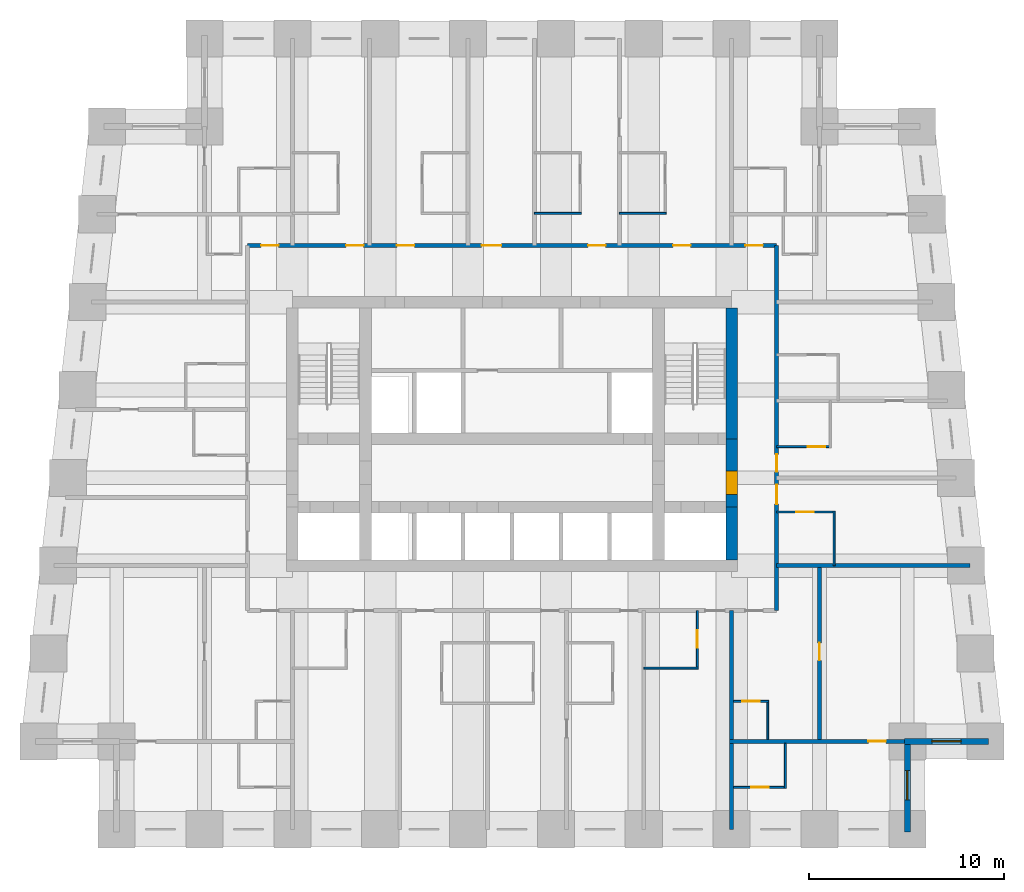
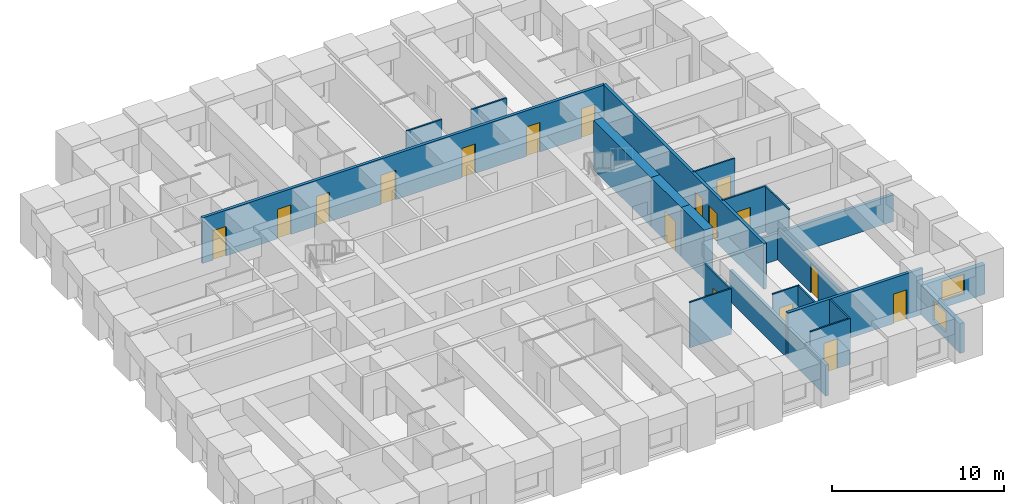
# One storey, part 5 of 8: 22 walls, 17 doors, 2 windows, 19 openings.
"""IFC4 building model written with IfcOpenShell, lengths in metres."""

from ifc_helpers import new_model, si_unit, direction, frame, frame_2d, origin, place, context, subcontext, project, spatial, rectangle, extrude, material, layer, layer_set, type_object, element, fill, save


model = new_model("IFC4")

# Units and contexts
model_context = context("Model", 3, precision=1e-05, world=origin(), true_north=direction((0.0, 1.0)))
body_context = subcontext(model_context, "Body", "Model", "MODEL_VIEW")
ifc_project = project(units=[si_unit("LENGTHUNIT", "METRE"), si_unit("AREAUNIT", "SQUARE_METRE"), si_unit("VOLUMEUNIT", "CUBIC_METRE"), si_unit("PLANEANGLEUNIT", "RADIAN"), si_unit("MASSUNIT", "GRAM", prefix="KILO")], contexts=[model_context])

# Site, building, storey
site_placement = place(None, origin())
site = spatial("IfcSite", under=ifc_project, at=site_placement, CompositionType="ELEMENT")
building_placement = place(site_placement, origin())
building = spatial("IfcBuilding", under=site, at=building_placement, Name="Kilele Tower Hotel", CompositionType="ELEMENT")
storey_placement = place(building_placement, frame((0.0, 0.0, 82.199951171875)))
storey = spatial("IfcBuildingStorey", under=building, at=storey_placement, Name="L20", CompositionType="ELEMENT", Elevation=82.199951171875)

# Wall
ifc_material_1 = material(Name="Moisture-resistant board")
ifc_layer_1 = layer(ifc_material_1, 0.10009765625)
ifc_layer_set_1 = layer_set([ifc_layer_1], Name="Moisture-resistant board")
wall_type_1 = type_object("IfcWallType", Name="Bathroom partition 100", PredefinedType="PLUMBINGWALL", material=ifc_layer_set_1)
wall_1_placement = place(storey_placement, frame((31.5, 8.25, 0.0), z_axis=(0.0, 0.0, 1.0), x_axis=(1.0, 0.0, 0.0)))
element("IfcWall", 1, at=wall_1_placement, inside=storey, type_object=wall_type_1, Name="Bathroom partition 100 L20", PredefinedType="PLUMBINGWALL", context=body_context, shape_type="SweptSolid", body=[
    extrude(rectangle(XDim=2.800048828125, YDim=0.10009765625, at=frame_2d((1.39990234375, 0.0))), origin(), (0.0, 0.0, 1.0), 3.25),
])

# Wall, opening, door
wall_2_placement = place(storey_placement, frame((34.25, 11.199951171875, 0.0), z_axis=(0.0, 0.0, 1.0), x_axis=(0.0, -1.0, 0.0)))
wall_2 = element("IfcWall", 2, at=wall_2_placement, inside=storey, type_object=wall_type_1, Name="Bathroom partition 100 L20", PredefinedType="PLUMBINGWALL", context=body_context, shape_type="SweptSolid", body=[
    extrude(rectangle(XDim=3.0, YDim=0.10009765625, at=frame_2d((1.5, 0.0))), origin(), (0.0, 0.0, 1.0), 3.25),
])
opening_1_placement = place(wall_2_placement, frame((1.0, 0.0, 0.0)))
opening_1 = element("IfcOpeningElement", 3, at=opening_1_placement, cuts=wall_2, Name="Opening D2A", PredefinedType="OPENING", context=body_context, shape_type="SweptSolid", body=[
    extrude(rectangle(XDim=0.89990234375, YDim=2.10009765625, at=frame_2d((0.449951171875, 1.050048828125))), frame((0.0, 0.06005859375, 0.0), z_axis=(0.0, -1.0, 0.0), x_axis=(1.0, 0.0, 0.0)), (0.0, 0.0, 1.0), 0.1201171875),
])
ifc_material_2 = material(Name="Timber door leaf in hardwood frame", Category="wood")
door_type_1 = type_object("IfcDoorType", Name="Bathroom door 900", OperationType="SINGLE_SWING_LEFT", PredefinedType="DOOR", material=ifc_material_2)
door_1_placement = place(opening_1_placement, origin())
door_1 = element("IfcDoor", 4, at=door_1_placement, inside=storey, type_object=door_type_1, Name="Bathroom door 2005B", OperationType="SINGLE_SWING_LEFT", OverallHeight=2.10009765625, OverallWidth=0.89990234375, PredefinedType="DOOR", context=body_context, shape_type="SweptSolid", body=[
    extrude(rectangle(XDim=0.89990234375, YDim=2.10009765625, at=frame_2d((0.449951171875, 1.050048828125))), frame((0.0, 0.02490234375, 0.0), z_axis=(0.0, -1.0, 0.0), x_axis=(1.0, 0.0, 0.0)), (0.0, 0.0, 1.0), 0.050048828125),
])
fill(opening_1, door_1)

# Wall
wall_3_placement = place(storey_placement, frame((41.25, 13.5, 0.0), z_axis=(0.0, 0.0, 1.0), x_axis=(0.0, 1.0, 0.0)))
element("IfcWall", 5, at=wall_3_placement, inside=storey, type_object=wall_type_1, Name="Bathroom partition 100 L20", PredefinedType="PLUMBINGWALL", context=body_context, shape_type="SweptSolid", body=[
    extrude(rectangle(XDim=2.800048828125, YDim=0.10009765625, at=frame_2d((1.39990234375, 0.0))), origin(), (0.0, 0.0, 1.0), 3.25),
])

# Wall, opening, door
wall_4_placement = place(storey_placement, frame((38.300048828125, 16.25, 0.0), z_axis=(0.0, 0.0, 1.0), x_axis=(1.0, 0.0, 0.0)))
wall_4 = element("IfcWall", 6, at=wall_4_placement, inside=storey, type_object=wall_type_1, Name="Bathroom partition 100 L20", PredefinedType="PLUMBINGWALL", context=body_context, shape_type="SweptSolid", body=[
    extrude(rectangle(XDim=3.0, YDim=0.10009765625, at=frame_2d((1.5, 0.0))), origin(), (0.0, 0.0, 1.0), 3.25),
])
opening_2_placement = place(wall_4_placement, frame((1.0, 0.0, 0.0)))
opening_2 = element("IfcOpeningElement", 7, at=opening_2_placement, cuts=wall_4, Name="Opening D2A", PredefinedType="OPENING", context=body_context, shape_type="SweptSolid", body=[
    extrude(rectangle(XDim=0.89990234375, YDim=2.10009765625, at=frame_2d((0.449951171875, 1.050048828125))), frame((0.0, 0.06005859375, 0.0), z_axis=(0.0, -1.0, 0.0), x_axis=(1.0, 0.0, 0.0)), (0.0, 0.0, 1.0), 0.1201171875),
])
door_2_placement = place(opening_2_placement, origin())
door_2 = element("IfcDoor", 8, at=door_2_placement, inside=storey, type_object=door_type_1, Name="Bathroom door 2006B", OperationType="SINGLE_SWING_LEFT", OverallHeight=2.10009765625, OverallWidth=0.89990234375, PredefinedType="DOOR", context=body_context, shape_type="SweptSolid", body=[
    extrude(rectangle(XDim=0.89990234375, YDim=2.10009765625, at=frame_2d((0.449951171875, 1.050048828125))), frame((0.0, 0.02490234375, 0.0), z_axis=(0.0, -1.0, 0.0), x_axis=(1.0, 0.0, 0.0)), (0.0, 0.0, 1.0), 0.050048828125),
])
fill(opening_2, door_2)

wall_5_placement = place(storey_placement, frame((38.300048828125, 19.60009765625, 0.0), z_axis=(0.0, 0.0, 1.0), x_axis=(1.0, 0.0, 0.0)))
wall_5 = element("IfcWall", 9, at=wall_5_placement, inside=storey, type_object=wall_type_1, Name="Bathroom partition 100 L20", PredefinedType="PLUMBINGWALL", context=body_context, shape_type="SweptSolid", body=[
    extrude(rectangle(XDim=2.800048828125, YDim=0.10009765625, at=frame_2d((1.39990234375, 0.0))), origin(), (0.0, 0.0, 1.0), 3.25),
])
opening_3_placement = place(wall_5_placement, frame((2.5, 0.0, 0.0), z_axis=(0.0, 0.0, 1.0), x_axis=(-1.0, 0.0, 0.0)))
opening_3 = element("IfcOpeningElement", 10, at=opening_3_placement, cuts=wall_5, Name="Opening D2A", PredefinedType="OPENING", context=body_context, shape_type="SweptSolid", body=[
    extrude(rectangle(XDim=0.89990234375, YDim=2.10009765625, at=frame_2d((0.449951171875, 1.050048828125))), frame((0.0, 0.06005859375, 0.0), z_axis=(0.0, -1.0, 0.0), x_axis=(1.0, 0.0, 0.0)), (0.0, 0.0, 1.0), 0.1201171875),
])
door_3_placement = place(opening_3_placement, origin())
door_3 = element("IfcDoor", 11, at=door_3_placement, inside=storey, type_object=door_type_1, Name="Bathroom door 2007B", OperationType="SINGLE_SWING_RIGHT", OverallHeight=2.10009765625, OverallWidth=0.89990234375, PredefinedType="DOOR", context=body_context, shape_type="SweptSolid", body=[
    extrude(rectangle(XDim=0.89990234375, YDim=2.10009765625, at=frame_2d((0.449951171875, 1.050048828125))), frame((0.0, 0.02490234375, 0.0), z_axis=(0.0, -1.0, 0.0), x_axis=(1.0, 0.0, 0.0)), (0.0, 0.0, 1.0), 0.050048828125),
])
fill(opening_3, door_3)

# Walls
wall_6_placement = place(storey_placement, frame((25.89990234375, 31.550048828125, 0.0), z_axis=(0.0, 0.0, 1.0), x_axis=(1.0, 0.0, 0.0)))
element("IfcWall", 12, at=wall_6_placement, inside=storey, type_object=wall_type_1, Name="Bathroom partition 100 L20", PredefinedType="PLUMBINGWALL", context=body_context, shape_type="SweptSolid", body=[
    extrude(rectangle(XDim=2.400146484375, YDim=0.10009765625, at=frame_2d((1.2001953125, 0.0))), origin(), (0.0, 0.0, 1.0), 3.25),
])
wall_7_placement = place(storey_placement, frame((30.25, 31.550048828125, 0.0), z_axis=(0.0, 0.0, 1.0), x_axis=(1.0, 0.0, 0.0)))
element("IfcWall", 13, at=wall_7_placement, inside=storey, type_object=wall_type_1, Name="Bathroom partition 100 L20", PredefinedType="PLUMBINGWALL", context=body_context, shape_type="SweptSolid", body=[
    extrude(rectangle(XDim=2.39990234375, YDim=0.10009765625, at=frame_2d((1.199951171875, 0.0))), origin(), (0.0, 0.0, 1.0), 3.25),
])
wall_8_placement = place(storey_placement, frame((37.85009765625, 4.60009765625, 0.0), z_axis=(0.0, 0.0, 1.0), x_axis=(0.0, 1.0, 0.0)))
element("IfcWall", 14, at=wall_8_placement, inside=storey, type_object=wall_type_1, Name="Bathroom partition 100 L20", PredefinedType="PLUMBINGWALL", context=body_context, shape_type="SweptSolid", body=[
    extrude(rectangle(XDim=2.0, YDim=0.10009765625, at=frame_2d((1.0, 0.0))), origin(), (0.0, 0.0, 1.0), 3.25),
])

# Wall, opening, door
wall_9_placement = place(storey_placement, frame((36.10009765625, 6.550048828125, 0.0), z_axis=(0.0, 0.0, 1.0), x_axis=(1.0, 0.0, 0.0)))
wall_9 = element("IfcWall", 15, at=wall_9_placement, inside=storey, type_object=wall_type_1, Name="Bathroom partition 100 L20", PredefinedType="PLUMBINGWALL", context=body_context, shape_type="SweptSolid", body=[
    extrude(rectangle(XDim=1.7998046875, YDim=0.10009765625, at=frame_2d((0.89990234375, 0.0))), origin(), (0.0, 0.0, 1.0), 3.25),
])
opening_4_placement = place(wall_9_placement, frame((0.449951171875, 0.0, 0.0)))
opening_4 = element("IfcOpeningElement", 16, at=opening_4_placement, cuts=wall_9, Name="Opening D2A", PredefinedType="OPENING", context=body_context, shape_type="SweptSolid", body=[
    extrude(rectangle(XDim=0.89990234375, YDim=2.10009765625, at=frame_2d((0.449951171875, 1.050048828125))), frame((0.0, 0.06005859375, 0.0), z_axis=(0.0, -1.0, 0.0), x_axis=(1.0, 0.0, 0.0)), (0.0, 0.0, 1.0), 0.1201171875),
])
door_4_placement = place(opening_4_placement, origin())
door_4 = element("IfcDoor", 17, at=door_4_placement, inside=storey, type_object=door_type_1, Name="Bathroom door 2020P", OperationType="SINGLE_SWING_LEFT", OverallHeight=2.10009765625, OverallWidth=0.89990234375, PredefinedType="DOOR", context=body_context, shape_type="SweptSolid", body=[
    extrude(rectangle(XDim=0.89990234375, YDim=2.10009765625, at=frame_2d((0.449951171875, 1.050048828125))), frame((0.0, 0.02490234375, 0.0), z_axis=(0.0, -1.0, 0.0), x_axis=(1.0, 0.0, 0.0)), (0.0, 0.0, 1.0), 0.050048828125),
])
fill(opening_4, door_4)

# Wall
wall_10_placement = place(storey_placement, frame((38.75, 4.39990234375, 0.0), z_axis=(0.0, 0.0, 1.0), x_axis=(0.0, -1.0, 0.0)))
element("IfcWall", 18, at=wall_10_placement, inside=storey, type_object=wall_type_1, Name="Bathroom partition 100 L20", PredefinedType="PLUMBINGWALL", context=body_context, shape_type="SweptSolid", body=[
    extrude(rectangle(XDim=2.2998046875, YDim=0.10009765625, at=frame_2d((1.14990234375, 0.0))), origin(), (0.0, 0.0, 1.0), 3.25),
])

# Wall, opening, door
wall_11_placement = place(storey_placement, frame((36.10009765625, 2.14990234375, 0.0), z_axis=(0.0, 0.0, 1.0), x_axis=(1.0, 0.0, 0.0)))
wall_11 = element("IfcWall", 19, at=wall_11_placement, inside=storey, type_object=wall_type_1, Name="Bathroom partition 100 L20", PredefinedType="PLUMBINGWALL", context=body_context, shape_type="SweptSolid", body=[
    extrude(rectangle(XDim=2.699951171875, YDim=0.10009765625, at=frame_2d((1.35009765625, 0.0))), origin(), (0.0, 0.0, 1.0), 3.25),
])
opening_5_placement = place(wall_11_placement, frame((1.7998046875, 0.0, 0.0), z_axis=(0.0, 0.0, 1.0), x_axis=(-1.0, 0.0, 0.0)))
opening_5 = element("IfcOpeningElement", 20, at=opening_5_placement, cuts=wall_11, Name="Opening D2A", PredefinedType="OPENING", context=body_context, shape_type="SweptSolid", body=[
    extrude(rectangle(XDim=0.89990234375, YDim=2.10009765625, at=frame_2d((0.449951171875, 1.050048828125))), frame((0.0, 0.06005859375, 0.0), z_axis=(0.0, -1.0, 0.0), x_axis=(1.0, 0.0, 0.0)), (0.0, 0.0, 1.0), 0.1201171875),
])
door_5_placement = place(opening_5_placement, origin())
door_5 = element("IfcDoor", 21, at=door_5_placement, inside=storey, type_object=door_type_1, Name="Bathroom door 2022B", OperationType="SINGLE_SWING_RIGHT", OverallHeight=2.10009765625, OverallWidth=0.89990234375, PredefinedType="DOOR", context=body_context, shape_type="SweptSolid", body=[
    extrude(rectangle(XDim=0.89990234375, YDim=2.10009765625, at=frame_2d((0.449951171875, 1.050048828125))), frame((0.0, 0.02490234375, 0.0), z_axis=(0.0, -1.0, 0.0), x_axis=(1.0, 0.0, 0.0)), (0.0, 0.0, 1.0), 0.050048828125),
])
fill(opening_5, door_5)

# Wall
ifc_material_3 = material(Name="Concrete C60/75", Category="concrete")
ifc_layer_2 = layer(ifc_material_3, 0.60009765625)
ifc_layer_set_2 = layer_set([ifc_layer_2], Name="Concrete C60/75")
wall_type_2 = type_object("IfcWallType", Name="Core wall 600 C60/75", PredefinedType="SHEAR", material=ifc_layer_set_2)
wall_12_placement = place(storey_placement, frame((36.0, 13.800048828125, 0.0), z_axis=(0.0, 0.0, 1.0), x_axis=(0.0, 1.0, 0.0)))
element("IfcWall", 22, at=wall_12_placement, inside=storey, type_object=wall_type_2, Name="Core wall E1 L20", PredefinedType="SHEAR", context=body_context, shape_type="SweptSolid", body=[
    extrude(rectangle(XDim=2.699951171875, YDim=0.60009765625, at=frame_2d((1.35009765625, 0.0))), origin(), (0.0, 0.0, 1.0), 3.5),
])

# Wall, opening, door
wall_13_placement = place(storey_placement, frame((36.0, 16.5, 0.0), z_axis=(0.0, 0.0, 1.0), x_axis=(0.0, 1.0, 0.0)))
wall_13 = element("IfcWall", 23, at=wall_13_placement, inside=storey, type_object=wall_type_2, Name="Core wall E2 L20", PredefinedType="SHEAR", context=body_context, shape_type="SweptSolid", body=[
    extrude(rectangle(XDim=3.5, YDim=0.60009765625, at=frame_2d((1.75, 0.0))), origin(), (0.0, 0.0, 1.0), 3.5),
])
opening_6_placement = place(wall_13_placement, frame((0.64990234375, 0.0, 0.0)))
opening_6 = element("IfcOpeningElement", 24, at=opening_6_placement, cuts=wall_13, Name="Opening D4", PredefinedType="OPENING", context=body_context, shape_type="SweptSolid", body=[
    extrude(rectangle(XDim=1.199951171875, YDim=2.10009765625, at=frame_2d((0.60009765625, 1.050048828125))), frame((0.0, 0.31005859375, 0.0), z_axis=(0.0, -1.0, 0.0), x_axis=(1.0, 0.0, 0.0)), (0.0, 0.0, 1.0), 0.6201171875),
])
ifc_material_4 = material(Name="Timber door leaf in hardwood frame", Category="wood")
door_type_2 = type_object("IfcDoorType", Name="Firefighting lobby door 1200", OperationType="SINGLE_SWING_LEFT", PredefinedType="DOOR", material=ifc_material_4)
door_6_placement = place(opening_6_placement, origin())
door_6 = element("IfcDoor", 25, at=door_6_placement, inside=storey, type_object=door_type_2, Name="Lobby door L20", OperationType="SINGLE_SWING_LEFT", OverallHeight=2.10009765625, OverallWidth=1.199951171875, PredefinedType="DOOR", context=body_context, shape_type="SweptSolid", body=[
    extrude(rectangle(XDim=1.199951171875, YDim=2.10009765625, at=frame_2d((0.60009765625, 1.050048828125))), frame((0.0, 0.2998046875, 0.0), z_axis=(0.0, -1.0, 0.0), x_axis=(1.0, 0.0, 0.0)), (0.0, 0.0, 1.0), 0.599609375),
])
fill(opening_6, door_6)

# Wall
wall_14_placement = place(storey_placement, frame((36.0, 20.0, 0.0), z_axis=(0.0, 0.0, 1.0), x_axis=(0.0, 1.0, 0.0)))
element("IfcWall", 26, at=wall_14_placement, inside=storey, type_object=wall_type_2, Name="Core wall E3 L20", PredefinedType="SHEAR", context=body_context, shape_type="SweptSolid", body=[
    extrude(rectangle(XDim=6.699951171875, YDim=0.60009765625, at=frame_2d((3.35009765625, 0.0))), origin(), (0.0, 0.0, 1.0), 3.5),
])

# Wall, openings, doors
ifc_material_5 = material(Name="Blockwork, plastered both sides", Category="masonry")
ifc_layer_3 = layer(ifc_material_5, 0.199951171875)
ifc_layer_set_3 = layer_set([ifc_layer_3], Name="Blockwork, plastered both sides")
wall_type_3 = type_object("IfcWallType", Name="Corridor wall 200", PredefinedType="PARTITIONING", material=ifc_layer_set_3)
wall_15_placement = place(storey_placement, frame((11.199951171875, 29.89990234375, 0.0), z_axis=(0.0, 0.0, 1.0), x_axis=(1.0, 0.0, 0.0)))
wall_15 = element("IfcWall", 27, at=wall_15_placement, inside=storey, type_object=wall_type_3, Name="Corridor wall 200 L20", PredefinedType="PARTITIONING", context=body_context, shape_type="SweptSolid", body=[
    extrude(rectangle(XDim=27.10009765625, YDim=0.199951171875, at=frame_2d((13.550048828125, 0.0))), origin(), (0.0, 0.0, 1.0), 3.25),
])
opening_7_placement = place(wall_15_placement, frame((5.050048828125, 0.0, 0.0)))
opening_7 = element("IfcOpeningElement", 28, at=opening_7_placement, cuts=wall_15, Name="Opening D1", PredefinedType="OPENING", context=body_context, shape_type="SweptSolid", body=[
    extrude(rectangle(XDim=0.89990234375, YDim=2.10009765625, at=frame_2d((0.449951171875, 1.050048828125))), frame((0.0, 0.10986328125, 0.0), z_axis=(0.0, -1.0, 0.0), x_axis=(1.0, 0.0, 0.0)), (0.0, 0.0, 1.0), 0.219970703125),
])
opening_8_placement = place(wall_15_placement, frame((7.64990234375, 0.0, 0.0)))
opening_8 = element("IfcOpeningElement", 29, at=opening_8_placement, cuts=wall_15, Name="Opening D1", PredefinedType="OPENING", context=body_context, shape_type="SweptSolid", body=[
    extrude(rectangle(XDim=0.89990234375, YDim=2.10009765625, at=frame_2d((0.449951171875, 1.050048828125))), frame((0.0, 0.10986328125, 0.0), z_axis=(0.0, -1.0, 0.0), x_axis=(1.0, 0.0, 0.0)), (0.0, 0.0, 1.0), 0.219970703125),
])
opening_9_placement = place(wall_15_placement, frame((12.0, 0.0, 0.0)))
opening_9 = element("IfcOpeningElement", 30, at=opening_9_placement, cuts=wall_15, Name="Opening D8", PredefinedType="OPENING", context=body_context, shape_type="SweptSolid", body=[
    extrude(rectangle(XDim=1.0, YDim=2.10009765625, at=frame_2d((0.5, 1.050048828125))), frame((0.0, 0.10986328125, 0.0), z_axis=(0.0, -1.0, 0.0), x_axis=(1.0, 0.0, 0.0)), (0.0, 0.0, 1.0), 0.219970703125),
])
opening_10_placement = place(wall_15_placement, frame((17.449951171875, 0.0, 0.0)))
opening_10 = element("IfcOpeningElement", 31, at=opening_10_placement, cuts=wall_15, Name="Opening D1", PredefinedType="OPENING", context=body_context, shape_type="SweptSolid", body=[
    extrude(rectangle(XDim=0.89990234375, YDim=2.10009765625, at=frame_2d((0.449951171875, 1.050048828125))), frame((0.0, 0.10986328125, 0.0), z_axis=(0.0, -1.0, 0.0), x_axis=(1.0, 0.0, 0.0)), (0.0, 0.0, 1.0), 0.219970703125),
])
opening_11_placement = place(wall_15_placement, frame((21.800048828125, 0.0, 0.0)))
opening_11 = element("IfcOpeningElement", 32, at=opening_11_placement, cuts=wall_15, Name="Opening D1", PredefinedType="OPENING", context=body_context, shape_type="SweptSolid", body=[
    extrude(rectangle(XDim=0.89990234375, YDim=2.10009765625, at=frame_2d((0.449951171875, 1.050048828125))), frame((0.0, 0.10986328125, 0.0), z_axis=(0.0, -1.0, 0.0), x_axis=(1.0, 0.0, 0.0)), (0.0, 0.0, 1.0), 0.219970703125),
])
opening_12_placement = place(wall_15_placement, frame((25.5, 0.0, 0.0)))
opening_12 = element("IfcOpeningElement", 33, at=opening_12_placement, cuts=wall_15, Name="Opening D1", PredefinedType="OPENING", context=body_context, shape_type="SweptSolid", body=[
    extrude(rectangle(XDim=0.89990234375, YDim=2.10009765625, at=frame_2d((0.449951171875, 1.050048828125))), frame((0.0, 0.10986328125, 0.0), z_axis=(0.0, -1.0, 0.0), x_axis=(1.0, 0.0, 0.0)), (0.0, 0.0, 1.0), 0.219970703125),
])
opening_13_placement = place(wall_15_placement, frame((0.699951171875, 0.0, 0.0)))
opening_13 = element("IfcOpeningElement", 34, at=opening_13_placement, cuts=wall_15, Name="Opening D1", PredefinedType="OPENING", context=body_context, shape_type="SweptSolid", body=[
    extrude(rectangle(XDim=0.89990234375, YDim=2.10009765625, at=frame_2d((0.449951171875, 1.050048828125))), frame((0.0, 0.10986328125, 0.0), z_axis=(0.0, -1.0, 0.0), x_axis=(1.0, 0.0, 0.0)), (0.0, 0.0, 1.0), 0.219970703125),
])
ifc_material_6 = material(Name="Timber door leaf in hardwood frame", Category="wood")
door_type_3 = type_object("IfcDoorType", Name="Door 1000", OperationType="SINGLE_SWING_LEFT", PredefinedType="DOOR", material=ifc_material_6)
door_7_placement = place(opening_9_placement, origin())
door_7 = element("IfcDoor", 35, at=door_7_placement, inside=storey, type_object=door_type_3, Name="Room entrance 2011", OperationType="SINGLE_SWING_LEFT", OverallHeight=2.10009765625, OverallWidth=1.0, PredefinedType="DOOR", context=body_context, shape_type="SweptSolid", body=[
    extrude(rectangle(XDim=1.0, YDim=2.10009765625, at=frame_2d((0.5, 1.050048828125))), frame((0.0, 0.02490234375, 0.0), z_axis=(0.0, -1.0, 0.0), x_axis=(1.0, 0.0, 0.0)), (0.0, 0.0, 1.0), 0.050048828125),
])
fill(opening_9, door_7)
ifc_material_7 = material(Name="Timber door leaf in hardwood frame", Category="wood")
door_type_4 = type_object("IfcDoorType", Name="Guest room entrance door 900", OperationType="SINGLE_SWING_LEFT", PredefinedType="DOOR", material=ifc_material_7)
door_8_placement = place(opening_7_placement, origin())
door_8 = element("IfcDoor", 36, at=door_8_placement, inside=storey, type_object=door_type_4, Name="Room entrance 2009", OperationType="SINGLE_SWING_RIGHT", OverallHeight=2.10009765625, OverallWidth=0.89990234375, PredefinedType="DOOR", context=body_context, shape_type="SweptSolid", body=[
    extrude(rectangle(XDim=0.89990234375, YDim=2.10009765625, at=frame_2d((0.449951171875, 1.050048828125))), frame((0.0, 0.02490234375, 0.0), z_axis=(0.0, -1.0, 0.0), x_axis=(1.0, 0.0, 0.0)), (0.0, 0.0, 1.0), 0.050048828125),
])
fill(opening_7, door_8)
door_9_placement = place(opening_8_placement, origin())
door_9 = element("IfcDoor", 37, at=door_9_placement, inside=storey, type_object=door_type_4, Name="Room entrance 2010", OperationType="SINGLE_SWING_LEFT", OverallHeight=2.10009765625, OverallWidth=0.89990234375, PredefinedType="DOOR", context=body_context, shape_type="SweptSolid", body=[
    extrude(rectangle(XDim=0.89990234375, YDim=2.10009765625, at=frame_2d((0.449951171875, 1.050048828125))), frame((0.0, 0.02490234375, 0.0), z_axis=(0.0, -1.0, 0.0), x_axis=(1.0, 0.0, 0.0)), (0.0, 0.0, 1.0), 0.050048828125),
])
fill(opening_8, door_9)
door_10_placement = place(opening_10_placement, origin())
door_10 = element("IfcDoor", 38, at=door_10_placement, inside=storey, type_object=door_type_4, Name="Room entrance 2012", OperationType="SINGLE_SWING_RIGHT", OverallHeight=2.10009765625, OverallWidth=0.89990234375, PredefinedType="DOOR", context=body_context, shape_type="SweptSolid", body=[
    extrude(rectangle(XDim=0.89990234375, YDim=2.10009765625, at=frame_2d((0.449951171875, 1.050048828125))), frame((0.0, 0.02490234375, 0.0), z_axis=(0.0, -1.0, 0.0), x_axis=(1.0, 0.0, 0.0)), (0.0, 0.0, 1.0), 0.050048828125),
])
fill(opening_10, door_10)
door_11_placement = place(opening_11_placement, origin())
door_11 = element("IfcDoor", 39, at=door_11_placement, inside=storey, type_object=door_type_4, Name="Room entrance 2013", OperationType="SINGLE_SWING_RIGHT", OverallHeight=2.10009765625, OverallWidth=0.89990234375, PredefinedType="DOOR", context=body_context, shape_type="SweptSolid", body=[
    extrude(rectangle(XDim=0.89990234375, YDim=2.10009765625, at=frame_2d((0.449951171875, 1.050048828125))), frame((0.0, 0.02490234375, 0.0), z_axis=(0.0, -1.0, 0.0), x_axis=(1.0, 0.0, 0.0)), (0.0, 0.0, 1.0), 0.050048828125),
])
fill(opening_11, door_11)
door_12_placement = place(opening_12_placement, origin())
door_12 = element("IfcDoor", 40, at=door_12_placement, inside=storey, type_object=door_type_4, Name="Room entrance 2023", OperationType="SINGLE_SWING_LEFT", OverallHeight=2.10009765625, OverallWidth=0.89990234375, PredefinedType="DOOR", context=body_context, shape_type="SweptSolid", body=[
    extrude(rectangle(XDim=0.89990234375, YDim=2.10009765625, at=frame_2d((0.449951171875, 1.050048828125))), frame((0.0, 0.02490234375, 0.0), z_axis=(0.0, -1.0, 0.0), x_axis=(1.0, 0.0, 0.0)), (0.0, 0.0, 1.0), 0.050048828125),
])
fill(opening_12, door_12)
door_13_placement = place(opening_13_placement, origin())
door_13 = element("IfcDoor", 41, at=door_13_placement, inside=storey, type_object=door_type_4, Name="Room entrance 2026", OperationType="SINGLE_SWING_RIGHT", OverallHeight=2.10009765625, OverallWidth=0.89990234375, PredefinedType="DOOR", context=body_context, shape_type="SweptSolid", body=[
    extrude(rectangle(XDim=0.89990234375, YDim=2.10009765625, at=frame_2d((0.449951171875, 1.050048828125))), frame((0.0, 0.02490234375, 0.0), z_axis=(0.0, -1.0, 0.0), x_axis=(1.0, 0.0, 0.0)), (0.0, 0.0, 1.0), 0.050048828125),
])
fill(opening_13, door_13)

wall_16_placement = place(storey_placement, frame((38.300048828125, 11.199951171875, 0.0), z_axis=(0.0, 0.0, 1.0), x_axis=(0.0, 1.0, 0.0)))
wall_16 = element("IfcWall", 42, at=wall_16_placement, inside=storey, type_object=wall_type_3, Name="Corridor wall 200 L20", PredefinedType="PARTITIONING", context=body_context, shape_type="SweptSolid", body=[
    extrude(rectangle(XDim=18.699951171875, YDim=0.199951171875, at=frame_2d((9.35009765625, 0.0))), origin(), (0.0, 0.0, 1.0), 3.25),
])
opening_14_placement = place(wall_16_placement, frame((6.449951171875, 0.0, 0.0), z_axis=(0.0, 0.0, 1.0), x_axis=(-1.0, 0.0, 0.0)))
opening_14 = element("IfcOpeningElement", 43, at=opening_14_placement, cuts=wall_16, Name="Opening D1A", PredefinedType="OPENING", context=body_context, shape_type="SweptSolid", body=[
    extrude(rectangle(XDim=1.0, YDim=2.10009765625, at=frame_2d((0.5, 1.050048828125))), frame((0.0, 0.10986328125, 0.0), z_axis=(0.0, -1.0, 0.0), x_axis=(1.0, 0.0, 0.0)), (0.0, 0.0, 1.0), 0.219970703125),
])
opening_15_placement = place(wall_16_placement, frame((8.0, 0.0, 0.0), z_axis=(0.0, 0.0, 1.0), x_axis=(-1.0, 0.0, 0.0)))
opening_15 = element("IfcOpeningElement", 44, at=opening_15_placement, cuts=wall_16, Name="Opening D1", PredefinedType="OPENING", context=body_context, shape_type="SweptSolid", body=[
    extrude(rectangle(XDim=0.89990234375, YDim=2.10009765625, at=frame_2d((0.449951171875, 1.050048828125))), frame((0.0, 0.10986328125, 0.0), z_axis=(0.0, -1.0, 0.0), x_axis=(1.0, 0.0, 0.0)), (0.0, 0.0, 1.0), 0.219970703125),
])
ifc_material_8 = material(Name="Timber door leaf in hardwood frame", Category="wood")
door_type_5 = type_object("IfcDoorType", Name="Guest room entrance door 1000", OperationType="SINGLE_SWING_LEFT", PredefinedType="DOOR", material=ifc_material_8)
door_14_placement = place(opening_14_placement, origin())
door_14 = element("IfcDoor", 45, at=door_14_placement, inside=storey, type_object=door_type_5, Name="Room entrance 2006", OperationType="SINGLE_SWING_RIGHT", OverallHeight=2.10009765625, OverallWidth=1.0, PredefinedType="DOOR", context=body_context, shape_type="SweptSolid", body=[
    extrude(rectangle(XDim=1.0, YDim=2.10009765625, at=frame_2d((0.5, 1.050048828125))), frame((0.0, 0.02490234375, 0.0), z_axis=(0.0, -1.0, 0.0), x_axis=(1.0, 0.0, 0.0)), (0.0, 0.0, 1.0), 0.050048828125),
])
fill(opening_14, door_14)
door_15_placement = place(opening_15_placement, origin())
door_15 = element("IfcDoor", 46, at=door_15_placement, inside=storey, type_object=door_type_4, Name="Room entrance 2007", OperationType="SINGLE_SWING_RIGHT", OverallHeight=2.10009765625, OverallWidth=0.89990234375, PredefinedType="DOOR", context=body_context, shape_type="SweptSolid", body=[
    extrude(rectangle(XDim=0.89990234375, YDim=2.10009765625, at=frame_2d((0.449951171875, 1.050048828125))), frame((0.0, 0.02490234375, 0.0), z_axis=(0.0, -1.0, 0.0), x_axis=(1.0, 0.0, 0.0)), (0.0, 0.0, 1.0), 0.050048828125),
])
fill(opening_15, door_15)

# Wall, opening, door
ifc_material_9 = material(Name="Blockwork, plastered both sides", Category="masonry")
ifc_layer_4 = layer(ifc_material_9, 0.199951171875)
ifc_layer_set_4 = layer_set([ifc_layer_4], Name="Blockwork, plastered both sides")
wall_type_4 = type_object("IfcWallType", Name="Partition wall 200", PredefinedType="PARTITIONING", material=ifc_layer_set_4)
wall_17_placement = place(storey_placement, frame((40.5, 4.60009765625, 0.0), z_axis=(0.0, 0.0, 1.0), x_axis=(0.0, 1.0, 0.0)))
wall_17 = element("IfcWall", 47, at=wall_17_placement, inside=storey, type_object=wall_type_4, Name="Partition wall 200 L20", PredefinedType="PARTITIONING", context=body_context, shape_type="SweptSolid", body=[
    extrude(rectangle(XDim=8.7998046875, YDim=0.199951171875, at=frame_2d((4.39990234375, 0.0))), origin(), (0.0, 0.0, 1.0), 2.199951171875),
])
opening_16_placement = place(wall_17_placement, frame((4.050048828125, 0.0, 0.0)))
opening_16 = element("IfcOpeningElement", 48, at=opening_16_placement, cuts=wall_17, Name="Opening D3", PredefinedType="OPENING", context=body_context, shape_type="SweptSolid", body=[
    extrude(rectangle(XDim=0.89990234375, YDim=2.10009765625, at=frame_2d((0.449951171875, 1.050048828125))), frame((0.0, 0.10986328125, 0.0), z_axis=(0.0, -1.0, 0.0), x_axis=(1.0, 0.0, 0.0)), (0.0, 0.0, 1.0), 0.219970703125),
])
ifc_material_10 = material(Name="Timber door leaf in hardwood frame", Category="wood")
door_type_6 = type_object("IfcDoorType", Name="Suite internal door 900", OperationType="SINGLE_SWING_LEFT", PredefinedType="DOOR", material=ifc_material_10)
door_16_placement = place(opening_16_placement, origin())
door_16 = element("IfcDoor", 49, at=door_16_placement, inside=storey, type_object=door_type_6, Name="Suite door 2021", OperationType="SINGLE_SWING_RIGHT", OverallHeight=2.10009765625, OverallWidth=0.89990234375, PredefinedType="DOOR", context=body_context, shape_type="SweptSolid", body=[
    extrude(rectangle(XDim=0.89990234375, YDim=2.10009765625, at=frame_2d((0.449951171875, 1.050048828125))), frame((0.0, 0.02490234375, 0.0), z_axis=(0.0, -1.0, 0.0), x_axis=(1.0, 0.0, 0.0)), (0.0, 0.0, 1.0), 0.050048828125),
])
fill(opening_16, door_16)

# Walls
ifc_material_11 = material(Name="Blockwork, plastered both sides", Category="masonry")
ifc_layer_5 = layer(ifc_material_11, 0.199951171875)
ifc_layer_set_5 = layer_set([ifc_layer_5], Name="Blockwork, plastered both sides")
wall_type_5 = type_object("IfcWallType", Name="Party wall 200", PredefinedType="PARTITIONING", material=ifc_layer_set_5)
wall_18_placement = place(storey_placement, frame((38.300048828125, 13.5, 0.0), z_axis=(0.0, 0.0, 1.0), x_axis=(1.0, 0.0, 0.0)))
element("IfcWall", 50, at=wall_18_placement, inside=storey, type_object=wall_type_5, Name="Party wall 200 L20", PredefinedType="PARTITIONING", context=body_context, shape_type="SweptSolid", body=[
    extrude(rectangle(XDim=9.921142578125, YDim=0.199951171875, at=frame_2d((4.96044921875, 0.0))), origin(), (0.0, 0.0, 1.0), 1.900146484375),
])
wall_19_placement = place(storey_placement, frame((36.0, 11.199951171875, 0.0), z_axis=(0.0, 0.0, 1.0), x_axis=(0.0, -1.0, 0.0)))
element("IfcWall", 51, at=wall_19_placement, inside=storey, type_object=wall_type_5, Name="Party wall 200 L20", PredefinedType="PARTITIONING", context=body_context, shape_type="SweptSolid", body=[
    extrude(rectangle(XDim=11.199951171875, YDim=0.199951171875, at=frame_2d((5.60009765625, 0.0))), origin(), (0.0, 0.0, 1.0), 2.199951171875),
])

# Wall, opening, door
wall_20_placement = place(storey_placement, frame((35.89990234375, 4.5, 0.0), z_axis=(0.0, 0.0, 1.0), x_axis=(1.0, 0.0, 0.0)))
wall_20 = element("IfcWall", 52, at=wall_20_placement, inside=storey, type_object=wall_type_5, Name="Party wall 200 L20", PredefinedType="PARTITIONING", context=body_context, shape_type="SweptSolid", body=[
    extrude(rectangle(XDim=9.10009765625, YDim=0.199951171875, at=frame_2d((4.550048828125, 0.0))), origin(), (0.0, 0.0, 1.0), 3.25),
])
opening_17_placement = place(wall_20_placement, frame((7.10009765625, 0.0, 0.0)))
opening_17 = element("IfcOpeningElement", 53, at=opening_17_placement, cuts=wall_20, Name="Opening D3", PredefinedType="OPENING", context=body_context, shape_type="SweptSolid", body=[
    extrude(rectangle(XDim=0.89990234375, YDim=2.10009765625, at=frame_2d((0.449951171875, 1.050048828125))), frame((0.0, 0.10986328125, 0.0), z_axis=(0.0, -1.0, 0.0), x_axis=(1.0, 0.0, 0.0)), (0.0, 0.0, 1.0), 0.219970703125),
])
door_17_placement = place(opening_17_placement, origin())
door_17 = element("IfcDoor", 54, at=door_17_placement, inside=storey, type_object=door_type_6, Name="Suite door 2022", OperationType="SINGLE_SWING_RIGHT", OverallHeight=2.10009765625, OverallWidth=0.89990234375, PredefinedType="DOOR", context=body_context, shape_type="SweptSolid", body=[
    extrude(rectangle(XDim=0.89990234375, YDim=2.10009765625, at=frame_2d((0.449951171875, 1.050048828125))), frame((0.0, 0.02490234375, 0.0), z_axis=(0.0, -1.0, 0.0), x_axis=(1.0, 0.0, 0.0)), (0.0, 0.0, 1.0), 0.050048828125),
])
fill(opening_17, door_17)

# Wall, opening, window
ifc_material_12 = material(Name="Concrete C40/50 precast", Category="concrete")
ifc_layer_6 = layer(ifc_material_12, 0.260009765625, Name="Precast backing", Category="LoadBearing")
ifc_material_13 = material(Name="Reconstituted stone finish", Category="masonry")
ifc_layer_7 = layer(ifc_material_13, 0.0400390625, Name="Face mix", Category="Finish")
ifc_layer_set_6 = layer_set([ifc_layer_6, ifc_layer_7], Name="Precast concrete C40/50, reconstituted stone finish")
wall_type_6 = type_object("IfcWallType", Name="Precast stone facade wall 300", PredefinedType="STANDARD", material=ifc_layer_set_6)
wall_21_placement = place(storey_placement, frame((45.0, -0.14990234375, 0.0), z_axis=(0.0, 0.0, 1.0), x_axis=(0.0, 1.0, 0.0)))
wall_21 = element("IfcWall", 55, at=wall_21_placement, inside=storey, type_object=wall_type_6, Name="Facade wall L20 edge 4", PredefinedType="STANDARD", context=body_context, shape_type="SweptSolid", body=[
    extrude(rectangle(XDim=4.7998046875, YDim=0.300048828125, at=frame_2d((2.39990234375, 0.0))), origin(), (0.0, 0.0, 1.0), 2.10009765625),
])
opening_18_placement = place(wall_21_placement, frame((1.64990234375, 0.0, 0.5)))
opening_18 = element("IfcOpeningElement", 56, at=opening_18_placement, cuts=wall_21, Name="Opening W1", PredefinedType="OPENING", context=body_context, shape_type="SweptSolid", body=[
    extrude(rectangle(XDim=1.5, YDim=1.39990234375, at=frame_2d((0.75, 0.699951171875))), frame((0.0, 0.159912109375, 0.0), z_axis=(0.0, -1.0, 0.0), x_axis=(1.0, 0.0, 0.0)), (0.0, 0.0, 1.0), 0.320068359375),
])
ifc_material_14 = material(Name="Aluminium frame, clear double glazing", Category="aluminium")
window_type = type_object("IfcWindowType", Name="Window W1 1500 x 1400", PartitioningType="SINGLE_PANEL", PredefinedType="WINDOW", material=ifc_material_14)
window_1_placement = place(opening_18_placement, origin())
window_1 = element("IfcWindow", 57, at=window_1_placement, inside=storey, type_object=window_type, Name="Window L20", OverallHeight=1.39990234375, OverallWidth=1.5, PartitioningType="SINGLE_PANEL", PredefinedType="WINDOW", context=body_context, shape_type="SweptSolid", body=[
    extrude(rectangle(XDim=1.5, YDim=1.39990234375, at=frame_2d((0.75, 0.699951171875))), frame((0.0, 0.030029296875, 0.0), z_axis=(0.0, -1.0, 0.0), x_axis=(1.0, 0.0, 0.0)), (0.0, 0.0, 1.0), 0.06005859375),
])
fill(opening_18, window_1)

wall_22_placement = place(storey_placement, frame((44.85009765625, 4.5, 0.0), z_axis=(0.0, 0.0, 1.0), x_axis=(1.0, 0.0, 0.0)))
wall_22 = element("IfcWall", 58, at=wall_22_placement, inside=storey, type_object=wall_type_6, Name="Facade wall L20 edge 5", PredefinedType="STANDARD", context=body_context, shape_type="SweptSolid", body=[
    extrude(rectangle(XDim=4.2998046875, YDim=0.300048828125, at=frame_2d((2.14990234375, 0.0))), origin(), (0.0, 0.0, 1.0), 2.10009765625),
])
opening_19_placement = place(wall_22_placement, frame((1.39990234375, 0.0, 0.5)))
opening_19 = element("IfcOpeningElement", 59, at=opening_19_placement, cuts=wall_22, Name="Opening W1", PredefinedType="OPENING", context=body_context, shape_type="SweptSolid", body=[
    extrude(rectangle(XDim=1.5, YDim=1.39990234375, at=frame_2d((0.75, 0.699951171875))), frame((0.0, 0.159912109375, 0.0), z_axis=(0.0, -1.0, 0.0), x_axis=(1.0, 0.0, 0.0)), (0.0, 0.0, 1.0), 0.320068359375),
])
window_2_placement = place(opening_19_placement, origin())
window_2 = element("IfcWindow", 60, at=window_2_placement, inside=storey, type_object=window_type, Name="Window L20", OverallHeight=1.39990234375, OverallWidth=1.5, PartitioningType="SINGLE_PANEL", PredefinedType="WINDOW", context=body_context, shape_type="SweptSolid", body=[
    extrude(rectangle(XDim=1.5, YDim=1.39990234375, at=frame_2d((0.75, 0.699951171875))), frame((0.0, 0.030029296875, 0.0), z_axis=(0.0, -1.0, 0.0), x_axis=(1.0, 0.0, 0.0)), (0.0, 0.0, 1.0), 0.06005859375),
])
fill(opening_19, window_2)

save(model, "model.ifc")
